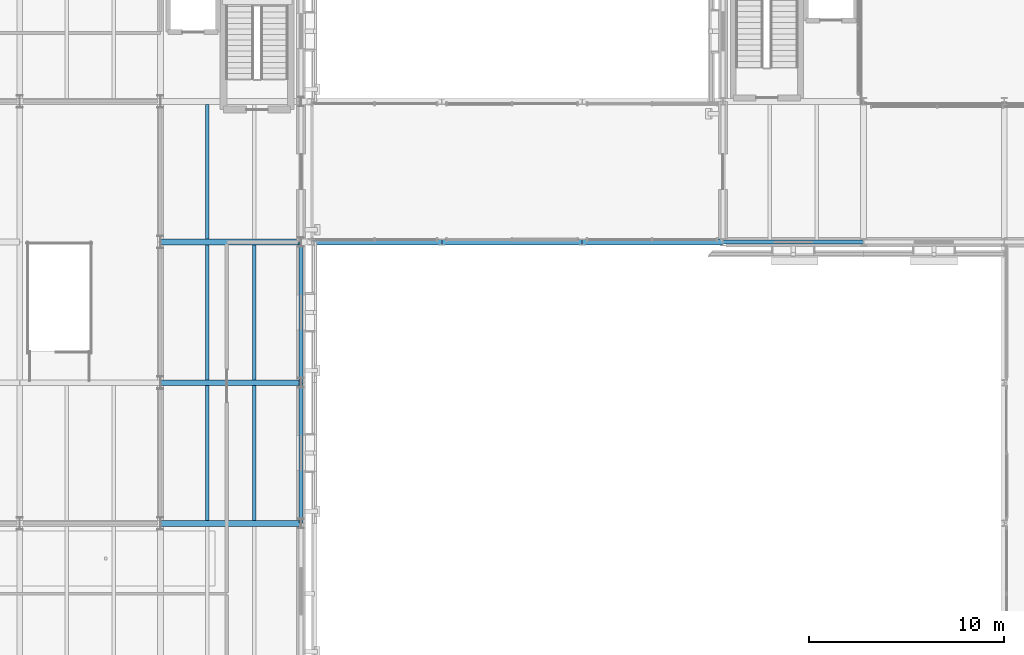
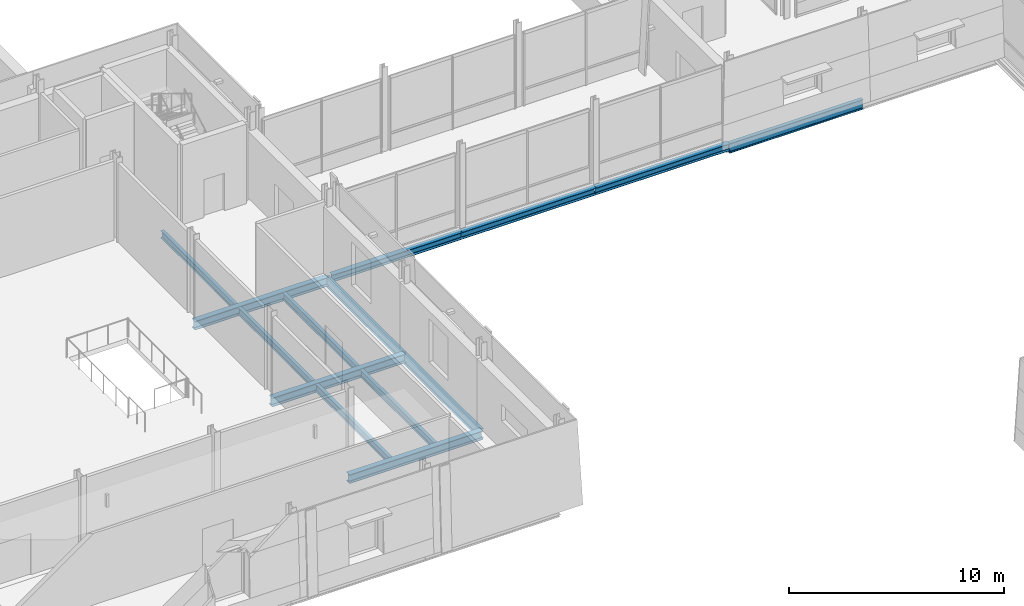
# One storey, part 35 of 121: 14 beams.
"""IFC4 building model written with IfcOpenShell, lengths in metres."""

import ifcopenshell
import ifcopenshell.guid

model = None  # the IFC model being written
_history = None  # IfcOwnerHistory: only IFC2X3 demands one
_inside = {}  # id of a spatial element -> (the spatial element, [elements in it])
_under = {}  # id of a project, library or spatial element -> (it, [spatial elements below it])
_declared = {}  # id of a project -> (the project, [libraries it declares])
_typed = {}  # id of a type object -> (the type object, [elements of that type])
_made_of = {}  # id of a material, layer set ... -> (it, [elements and type objects made of it])


def new_model(schema):
    """Start an empty IFC model of exactly this schema.

    Asked for "IFC4X3", IfcOpenShell would pick the latest addendum, in which some entities
    have other attributes; the version numbers below select the first issue.
    IFC2X3 requires an IfcOwnerHistory on every rooted entity: one is made here for all.
    """
    global model, _history
    if schema == "IFC4X3":
        model = ifcopenshell.file(schema_version=(4, 3, 0, 0))
    else:
        model = ifcopenshell.file(schema=schema)
    _inside.clear()
    _under.clear()
    _declared.clear()
    _typed.clear()
    _made_of.clear()
    _history = None
    if model.schema == "IFC2X3":
        org = make("IfcOrganization", Name="unknown")
        user = make(
            "IfcPersonAndOrganization",
            ThePerson=make("IfcPerson", FamilyName="unknown"),
            TheOrganization=org,
        )
        app = make(
            "IfcApplication",
            ApplicationDeveloper=org,
            Version="unknown",
            ApplicationFullName="unknown",
            ApplicationIdentifier="unknown",
        )
        _history = make(
            "IfcOwnerHistory",
            OwningUser=user,
            OwningApplication=app,
            ChangeAction="ADDED",
            CreationDate=0,
        )
    return model


def make(cls, **values):
    """One entity of the class cls with the attributes given. An attribute that is None is left unset."""
    return model.create_entity(
        cls, **{name: value for name, value in values.items() if value is not None}
    )


def rooted(cls, **values):
    """An entity with a GlobalId (a new one), such as an element, a storey or a relation."""
    return make(cls, GlobalId=ifcopenshell.guid.new(), OwnerHistory=_history, **values)


def si_unit(unit_type, name, prefix=None):
    """IfcSIUnit, for example si_unit("LENGTHUNIT", "METRE", prefix="MILLI")."""
    return make("IfcSIUnit", UnitType=unit_type, Prefix=prefix, Name=name)


def assignment(units):
    """IfcUnitAssignment: the units of a project."""
    return None if units is None else make("IfcUnitAssignment", Units=units)


def point(xyz):
    """IfcCartesianPoint."""
    return None if xyz is None else make("IfcCartesianPoint", Coordinates=xyz)


def direction(xyz):
    """IfcDirection."""
    return None if xyz is None else make("IfcDirection", DirectionRatios=xyz)


def frame(location, z_axis=None, x_axis=None):
    """IfcAxis2Placement3D, a coordinate frame: its origin and axes. An axis left out is left unset."""
    return make(
        "IfcAxis2Placement3D",
        Location=point(location),
        Axis=direction(z_axis),
        RefDirection=direction(x_axis),
    )


def frame_2d(location, x_axis=None):
    """IfcAxis2Placement2D, a coordinate frame in the plane: its origin and x axis."""
    return make(
        "IfcAxis2Placement2D", Location=point(location), RefDirection=direction(x_axis)
    )


def origin():
    """The frame at (0, 0, 0) with its axes left unset."""
    return frame((0.0, 0.0, 0.0))


def origin_2d():
    """The frame at (0, 0) in the plane with its x axis left unset."""
    return frame_2d((0.0, 0.0))


def place(relative_to, where):
    """IfcLocalPlacement: puts the frame where relative to a parent placement (None: the world)."""
    return make(
        "IfcLocalPlacement", PlacementRelTo=relative_to, RelativePlacement=where
    )


def context(
    kind, dimensions, precision=None, world=None, true_north=None, identifier=None
):
    """IfcGeometricRepresentationContext, for example the 3D "Model" context."""
    return make(
        "IfcGeometricRepresentationContext",
        ContextIdentifier=identifier,
        ContextType=kind,
        CoordinateSpaceDimension=dimensions,
        Precision=precision,
        WorldCoordinateSystem=world,
        TrueNorth=true_north,
    )


def subcontext(parent, identifier, kind, view, scale=None):
    """IfcGeometricRepresentationSubContext, for example "Body" below "Model"."""
    return make(
        "IfcGeometricRepresentationSubContext",
        ContextIdentifier=identifier,
        ContextType=kind,
        ParentContext=parent,
        TargetScale=scale,
        TargetView=view,
    )


def project(units=None, contexts=None):
    """IfcProject with its units and contexts."""
    return rooted(
        "IfcProject",
        Name="project",
        RepresentationContexts=contexts,
        UnitsInContext=assignment(units),
    )


def spatial(cls, under=None, at=None, **own):
    """A site, building, storey or space (cls), placed at a placement, below another one or the project."""
    s = rooted(cls, ObjectPlacement=at, **own)
    if under is not None:
        _under.setdefault(under.id(), (under, []))[1].append(s)
    return s


def profile(cls, at=None, kind="AREA", **sizes):
    """A parametric profile (cls). Its sizes go by their IFC names, for example OverallWidth=200.0."""
    return make(cls, ProfileType=kind, Position=at, **sizes)


def i_section(**sizes):
    """IfcIShapeProfileDef."""
    return profile("IfcIShapeProfileDef", **sizes)


def extrude(swept, where, along, depth):
    """IfcExtrudedAreaSolid: the profile swept, set in the frame where, extruded along a direction by depth."""
    return make(
        "IfcExtrudedAreaSolid",
        SweptArea=swept,
        Position=where,
        ExtrudedDirection=direction(along),
        Depth=depth,
    )


def shape(context_of_items, identifier, shape_type, items):
    """IfcShapeRepresentation: the items that make up one representation, for example the "Body"."""
    return make(
        "IfcShapeRepresentation",
        ContextOfItems=context_of_items,
        RepresentationIdentifier=identifier,
        RepresentationType=shape_type,
        Items=items,
    )


def material(Name=None, Category=None):
    """IfcMaterial."""
    return make("IfcMaterial", Name=Name, Category=Category)


def material_profile(
    of_material, cross_section, Name=None, Category=None, Priority=None
):
    """IfcMaterialProfile: a cross section and its material."""
    return make(
        "IfcMaterialProfile",
        Name=Name,
        Material=of_material,
        Profile=cross_section,
        Priority=Priority,
        Category=Category,
    )


def profile_set(profiles, Name=None, composite=None):
    """IfcMaterialProfileSet."""
    return make(
        "IfcMaterialProfileSet",
        Name=Name,
        MaterialProfiles=profiles,
        CompositeProfile=composite,
    )


def made_of(thing, what):
    """Note that an element or type object is made of a material, layer set ...; save() writes the relation."""
    if what is not None:
        _made_of.setdefault(what.id(), (what, []))[1].append(thing)
    return thing


def type_object(cls, material=None, **own):
    """A type object (cls), such as IfcWallType, which elements share."""
    return made_of(rooted(cls, **own), material)


def element(
    cls,
    number,
    at=None,
    inside=None,
    cuts=None,
    type_object=None,
    material=None,
    context=None,
    identifier="Body",
    shape_type=None,
    held_by="IfcProductDefinitionShape",
    body=None,
    shapes=None,
    **own,
):
    """One element of the class cls, such as IfcWall. Its Tag is "e" and its number.

    at: its placement. inside: the storey or other place that contains it. cuts: it is an
    opening in that element (IfcRelVoidsElement). A single representation is given by context,
    identifier, shape_type and body (its items); several are given by shapes. held_by: the class
    of the entity that holds the representations. save() writes the other relations.
    """
    e = rooted(cls, Tag="e%d" % number, ObjectPlacement=at, **own)
    if body is not None:
        shapes = [shape(context, identifier, shape_type, body)]
    if shapes is not None:
        e.Representation = make(held_by, Representations=shapes)
    if inside is not None:
        _inside.setdefault(inside.id(), (inside, []))[1].append(e)
    if cuts is not None:
        rooted(
            "IfcRelVoidsElement", RelatingBuildingElement=cuts, RelatedOpeningElement=e
        )
    if type_object is not None:
        _typed.setdefault(type_object.id(), (type_object, []))[1].append(e)
    return made_of(e, material)


def aggregate(whole, parts):
    """IfcRelAggregates: a whole, such as a stair, and the parts it consists of."""
    return rooted("IfcRelAggregates", RelatingObject=whole, RelatedObjects=parts)


def save(model, path):
    """Write the relations noted so far, then the file.

    IfcRelAggregates (storeys below a building ...), IfcRelContainedInSpatialStructure (elements
    in a storey), IfcRelDefinesByType, IfcRelAssociatesMaterial and IfcRelDeclares: one each for
    every whole, place, type object, material and project.
    """
    for whole, parts in _under.values():
        aggregate(whole, parts)
    for where, things in _inside.values():
        rooted(
            "IfcRelContainedInSpatialStructure",
            RelatedElements=things,
            RelatingStructure=where,
        )
    for kind, things in _typed.values():
        rooted("IfcRelDefinesByType", RelatedObjects=things, RelatingType=kind)
    for what, things in _made_of.values():
        rooted("IfcRelAssociatesMaterial", RelatedObjects=things, RelatingMaterial=what)
    for by, libraries in _declared.values():
        rooted("IfcRelDeclares", RelatingContext=by, RelatedDefinitions=libraries)
    model.write(path)


model = new_model("IFC4")

# Units and contexts
model_context = context("Model", 3, precision=1e-05, world=origin(), true_north=direction((0.0, 1.0)))
body_context = subcontext(model_context, "Body", "Model", "MODEL_VIEW")
ifc_project = project(units=[si_unit("LENGTHUNIT", "METRE"), si_unit("AREAUNIT", "SQUARE_METRE"), si_unit("VOLUMEUNIT", "CUBIC_METRE"), si_unit("PLANEANGLEUNIT", "RADIAN"), si_unit("MASSUNIT", "GRAM", prefix="KILO")], contexts=[model_context])

# Site, building, storey
site_placement = place(None, origin())
site = spatial("IfcSite", under=ifc_project, at=site_placement, CompositionType="ELEMENT")
building_placement = place(site_placement, origin())
building = spatial("IfcBuilding", under=site, at=building_placement, Name="Narikvali Park Central Library", CompositionType="ELEMENT")
storey_placement = place(building_placement, frame((0.0, 0.0, 5.39990234375)))
storey = spatial("IfcBuildingStorey", under=building, at=storey_placement, Name="L01", CompositionType="ELEMENT", Elevation=5.39990234375)

# Beams
ifc_material = material(Name="Steel S355", Category="steel")
ifc_material_profile_1 = material_profile(ifc_material, i_section(OverallWidth=0.300048828125, OverallDepth=0.389892578125, WebThickness=0.010986328125, FlangeThickness=0.01904296875, FilletRadius=0.027099609375, at=origin_2d()), Name="HEA 400")
ifc_profile_set_1 = profile_set([ifc_material_profile_1], Name="Steel S355")
beam_type_1 = type_object("IfcBeamType", Name="Colonnade Bridge Girder HEA400", PredefinedType="BEAM", material=ifc_profile_set_1)
beam_1_placement = place(storey_placement, frame((101.02001953125, 79.199951171875, -0.44482421875), z_axis=(1.0, 0.0, 0.0), x_axis=(0.0, 1.0, 0.0)))
element("IfcBeam", 1, at=beam_1_placement, inside=storey, type_object=beam_type_1, Name="BRG-3 L01 Sliding Bridge Girder 1-1", PredefinedType="BEAM", context=body_context, shape_type="SweptSolid", body=[
    extrude(i_section(OverallWidth=0.300048828125, OverallDepth=0.389892578125, WebThickness=0.010986328125, FlangeThickness=0.01904296875, FilletRadius=0.027099609375, at=origin_2d()), origin(), (0.0, 0.0, 1.0), 6.969970703125),
])
for number, where, z_axis, x_axis, name in (
    (2, (108.010009765625, 79.199951171875, -0.44482421875), (1.0, 0.0, 0.0), (0.0, 1.0, 0.0), "BRG-3 L01 Sliding Bridge Girder 1-2"),
    (3, (115.2099609375, 79.199951171875, -0.44482421875), (1.0, 0.0, 0.0), (0.0, 1.0, 0.0), "BRG-3 L01 Sliding Bridge Girder 1-3"),
):
    element("IfcBeam", number, at=place(storey_placement, frame(where, z_axis=z_axis, x_axis=x_axis)), inside=storey, type_object=beam_type_1, Name=name, PredefinedType="BEAM", context=body_context, shape_type="SweptSolid", body=[
        extrude(i_section(OverallWidth=0.300048828125, OverallDepth=0.389892578125, WebThickness=0.010986328125, FlangeThickness=0.01904296875, FilletRadius=0.027099609375, at=origin_2d()), origin(), (0.0, 0.0, 1.0), 7.179931640625),
    ])
ifc_material_profile_2 = material_profile(ifc_material, i_section(OverallWidth=0.181884765625, OverallDepth=0.404052734375, WebThickness=0.009765625, FlangeThickness=0.015380859375, FilletRadius=0.02099609375, at=origin_2d()), Name="IPEO 400")
ifc_profile_set_2 = profile_set([ifc_material_profile_2], Name="Steel S355")
beam_type_2 = type_object("IfcBeamType", Name="Gallery Floor Joist IPEO400", PredefinedType="JOIST", material=ifc_profile_set_2)
for number, where, z_axis, x_axis, name in (
    (4, (96.0, 64.949951171875, -0.48193359375), (0.0, 1.0, 0.0), (-1.0, 0.0, 0.0), "V1 L01 Composite Joist 1"),
    (5, (98.39990234375, 64.949951171875, -0.48193359375), (0.0, 1.0, 0.0), (-1.0, 0.0, 0.0), "V1 L01 Composite Joist 2"),
    (6, (96.0, 72.14990234375, -0.48193359375), (0.0, 1.0, 0.0), (-1.0, 0.0, 0.0), "V1 L01 Composite Joist 1"),
    (7, (98.39990234375, 72.14990234375, -0.48193359375), (0.0, 1.0, 0.0), (-1.0, 0.0, 0.0), "V1 L01 Composite Joist 2"),
):
    element("IfcBeam", number, at=place(storey_placement, frame(where, z_axis=z_axis, x_axis=x_axis)), inside=storey, type_object=beam_type_2, Name=name, PredefinedType="JOIST", context=body_context, shape_type="SweptSolid", body=[
        extrude(i_section(OverallWidth=0.181884765625, OverallDepth=0.404052734375, WebThickness=0.009765625, FlangeThickness=0.015380859375, FilletRadius=0.02099609375, at=origin_2d()), origin(), (0.0, 0.0, 1.0), 6.900146484375),
    ])
beam_2_placement = place(storey_placement, frame((96.0, 79.35009765625, -0.48193359375), z_axis=(0.0, 1.0, 0.0), x_axis=(-1.0, 0.0, 0.0)))
element("IfcBeam", 8, at=beam_2_placement, inside=storey, type_object=beam_type_2, Name="V1 L01 Composite Joist 1", PredefinedType="JOIST", context=body_context, shape_type="SweptSolid", body=[
    extrude(i_section(OverallWidth=0.181884765625, OverallDepth=0.404052734375, WebThickness=0.009765625, FlangeThickness=0.015380859375, FilletRadius=0.02099609375, at=origin_2d()), origin(), (0.0, 0.0, 1.0), 6.89990234375),
])
ifc_material_profile_3 = material_profile(ifc_material, i_section(OverallWidth=0.2099609375, OverallDepth=0.550048828125, WebThickness=0.010986328125, FlangeThickness=0.01708984375, FilletRadius=0.02392578125, at=origin_2d()), Name="IPE 550")
ifc_profile_set_3 = profile_set([ifc_material_profile_3], Name="Steel S355")
beam_type_3 = type_object("IfcBeamType", Name="Perimeter Spandrel IPE550", PredefinedType="SPANDREL", material=ifc_profile_set_3)
for number, where, z_axis, x_axis, name in (
    (9, (100.800048828125, 64.80810546875, -0.554931640625), (0.0, 1.0, 0.0), (-1.0, 0.0, 0.0), "V1 L01 Girder Y"),
    (10, (100.800048828125, 72.008056640625, -0.554931640625), (0.0, 1.0, 0.0), (-1.0, 0.0, 0.0), "V1 L01 Girder Y"),
):
    element("IfcBeam", number, at=place(storey_placement, frame(where, z_axis=z_axis, x_axis=x_axis)), inside=storey, type_object=beam_type_3, Name=name, PredefinedType="SPANDREL", context=body_context, shape_type="SweptSolid", body=[
        extrude(i_section(OverallWidth=0.2099609375, OverallDepth=0.550048828125, WebThickness=0.010986328125, FlangeThickness=0.01708984375, FilletRadius=0.02392578125, at=origin_2d()), origin(), (0.0, 0.0, 1.0), 7.183837890625),
    ])
beam_3_placement = place(storey_placement, frame((122.407958984375, 79.199951171875, -0.554931640625), z_axis=(1.0, 0.0, 0.0), x_axis=(0.0, 1.0, 0.0)))
element("IfcBeam", 11, at=beam_3_placement, inside=storey, type_object=beam_type_3, Name="V3 L01 Girder X", PredefinedType="SPANDREL", context=body_context, shape_type="SweptSolid", body=[
    extrude(i_section(OverallWidth=0.2099609375, OverallDepth=0.550048828125, WebThickness=0.010986328125, FlangeThickness=0.01708984375, FilletRadius=0.02392578125, at=origin_2d()), origin(), (0.0, 0.0, 1.0), 7.18408203125),
])
ifc_material_profile_4 = material_profile(ifc_material, i_section(OverallWidth=0.300048828125, OverallDepth=0.5, WebThickness=0.014404296875, FlangeThickness=0.028076171875, FilletRadius=0.027099609375, at=origin_2d()), Name="HEB 500")
ifc_profile_set_4 = profile_set([ifc_material_profile_4], Name="Steel S355")
beam_type_4 = type_object("IfcBeamType", Name="Reading Void Girder HEB500", PredefinedType="BEAM", material=ifc_profile_set_4)
for number, where, z_axis, x_axis, name in (
    (12, (93.60791015625, 64.800048828125, -0.52978515625), (1.0, 0.0, 0.0), (0.0, 1.0, 0.0), "V1 L01 Girder X"),
    (13, (93.60791015625, 72.0, -0.52978515625), (1.0, 0.0, 0.0), (0.0, 1.0, 0.0), "V1 L01 Girder X"),
    (14, (93.60791015625, 79.199951171875, -0.52978515625), (1.0, 0.0, 0.0), (0.0, 1.0, 0.0), "V1 L01 Girder X"),
):
    element("IfcBeam", number, at=place(storey_placement, frame(where, z_axis=z_axis, x_axis=x_axis)), inside=storey, type_object=beam_type_4, Name=name, PredefinedType="BEAM", context=body_context, shape_type="SweptSolid", body=[
        extrude(i_section(OverallWidth=0.300048828125, OverallDepth=0.5, WebThickness=0.014404296875, FlangeThickness=0.028076171875, FilletRadius=0.027099609375, at=origin_2d()), origin(), (0.0, 0.0, 1.0), 7.18408203125),
    ])

save(model, "model.ifc")
